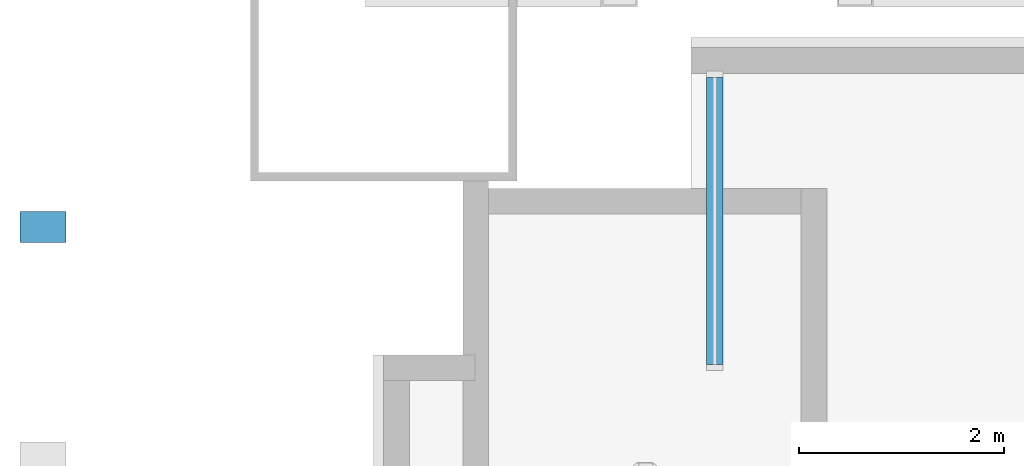
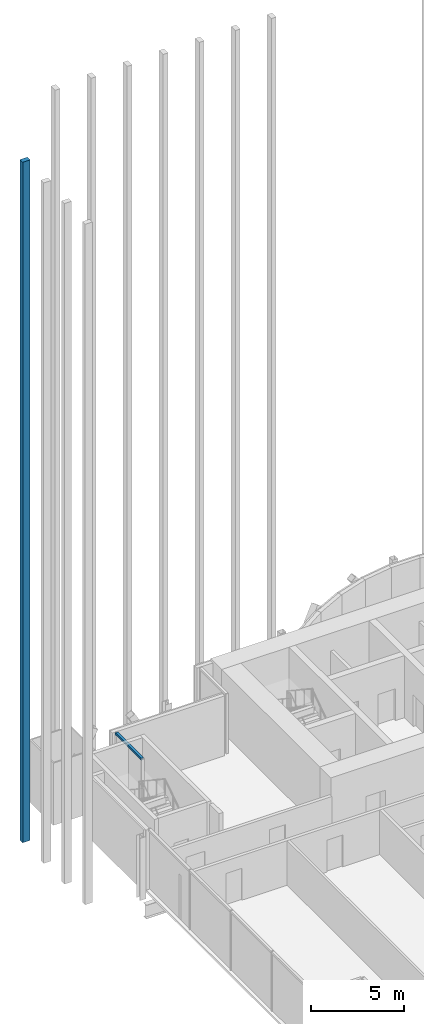
# One storey, part 13 of 33: 2 members, 2 elements without a shape of their own.
"""IFC4 building model written with IfcOpenShell, lengths in metres."""

from ifc_helpers import new_model, si_unit, direction, frame, origin, origin_2d, place, context, subcontext, project, spatial, rectangle, extrude, material, material_profile, profile_set, type_object, element, aggregate, save


model = new_model("IFC4")

# Units and contexts
model_context = context("Model", 3, precision=1e-05, world=origin(), true_north=direction((0.0, 1.0)))
body_context = subcontext(model_context, "Body", "Model", "MODEL_VIEW")
ifc_project = project(units=[si_unit("LENGTHUNIT", "METRE"), si_unit("AREAUNIT", "SQUARE_METRE"), si_unit("VOLUMEUNIT", "CUBIC_METRE"), si_unit("PLANEANGLEUNIT", "RADIAN"), si_unit("MASSUNIT", "GRAM", prefix="KILO")], contexts=[model_context])

# Site, building, storey
site_placement = place(None, origin())
site = spatial("IfcSite", under=ifc_project, at=site_placement, CompositionType="ELEMENT")
building_placement = place(site_placement, origin())
building = spatial("IfcBuilding", under=site, at=building_placement, Name="Bicima Exchange Tower", CompositionType="ELEMENT")
storey_placement = place(building_placement, frame((0.0, 0.0, 140.39990234375)))
storey = spatial("IfcBuildingStorey", under=building, at=storey_placement, Name="L30", CompositionType="ELEMENT", Elevation=140.39990234375)

# Curtain wall, member
ifc_material = material(Name="Anodised bronze aluminium", Category="aluminium")
curtain_wall_type_1 = type_object("IfcCurtainWallType", Name="Front glass wall", PredefinedType="NOTDEFINED", material=ifc_material)
curtain_wall_1_placement = place(storey_placement, origin())
curtain_wall_1 = element("IfcCurtainWall", 1, at=curtain_wall_1_placement, inside=storey, type_object=curtain_wall_type_1, Name="Front glass wall L30 run 5", PredefinedType="NOTDEFINED")
ifc_material_profile_1 = material_profile(ifc_material, rectangle(XDim=0.159912109375, YDim=0.139892578125, at=origin_2d()))
ifc_profile_set_1 = profile_set([ifc_material_profile_1], Name="Anodised bronze aluminium")
member_type_1 = type_object("IfcMemberType", Name="Front glass wall transom 140 x 160", PredefinedType="USERDEFINED", material=ifc_profile_set_1)
member_1_placement = place(storey_placement, frame((-29.77001953125, -3.2900390625, 3.880126953125), z_axis=(0.0, -1.0, 0.0), x_axis=(1.0, 0.0, 0.0)))
member_1 = element("IfcMember", 2, at=member_1_placement, type_object=member_type_1, Name="Front glass wall transom 1.1", ObjectType="TRANSOM", PredefinedType="USERDEFINED", context=body_context, shape_type="SweptSolid", body=[
    extrude(rectangle(XDim=0.159912109375, YDim=0.139892578125, at=origin_2d()), origin(), (0.0, 0.0, 1.0), 2.800048828125),
])
aggregate(curtain_wall_1, [member_1])

curtain_wall_type_2 = type_object("IfcCurtainWallType", Name="Rear blade screen", PredefinedType="NOTDEFINED", material=ifc_material)
curtain_wall_2_placement = place(storey_placement, origin())
curtain_wall_2 = element("IfcCurtainWall", 3, at=curtain_wall_2_placement, inside=storey, type_object=curtain_wall_type_2, Name="End blade screen L30-L40", PredefinedType="NOTDEFINED")
ifc_material_profile_2 = material_profile(ifc_material, rectangle(XDim=0.449951171875, YDim=0.300048828125, at=origin_2d()))
ifc_profile_set_2 = profile_set([ifc_material_profile_2], Name="Anodised bronze aluminium")
member_type_2 = type_object("IfcMemberType", Name="Rear blade fin 450 x 300", PredefinedType="USERDEFINED", material=ifc_profile_set_2)
member_2_placement = place(storey_placement, frame((-36.324951171875, -4.75, 0.0), z_axis=(0.0, 0.0, 1.0), x_axis=(1.0, 0.0, 0.0)))
member_2 = element("IfcMember", 4, at=member_2_placement, type_object=member_type_2, Name="End blade fin L30-L40 4", ObjectType="FIN", PredefinedType="USERDEFINED", context=body_context, shape_type="SweptSolid", body=[
    extrude(rectangle(XDim=0.449951171875, YDim=0.300048828125, at=origin_2d()), origin(), (0.0, 0.0, 1.0), 44.900146484375),
])
aggregate(curtain_wall_2, [member_2])

save(model, "model.ifc")
